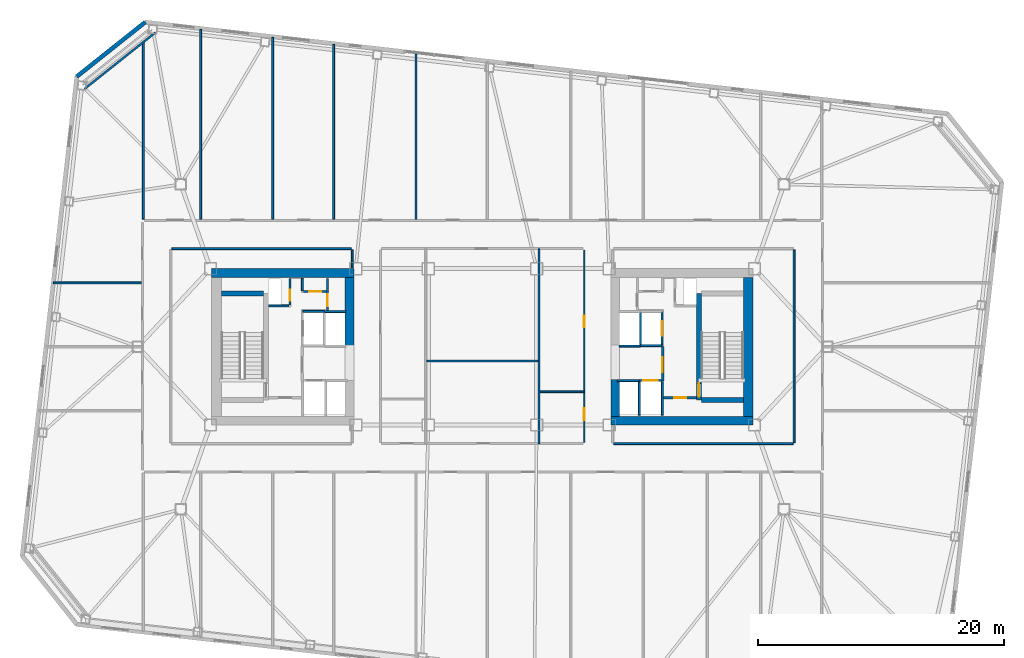
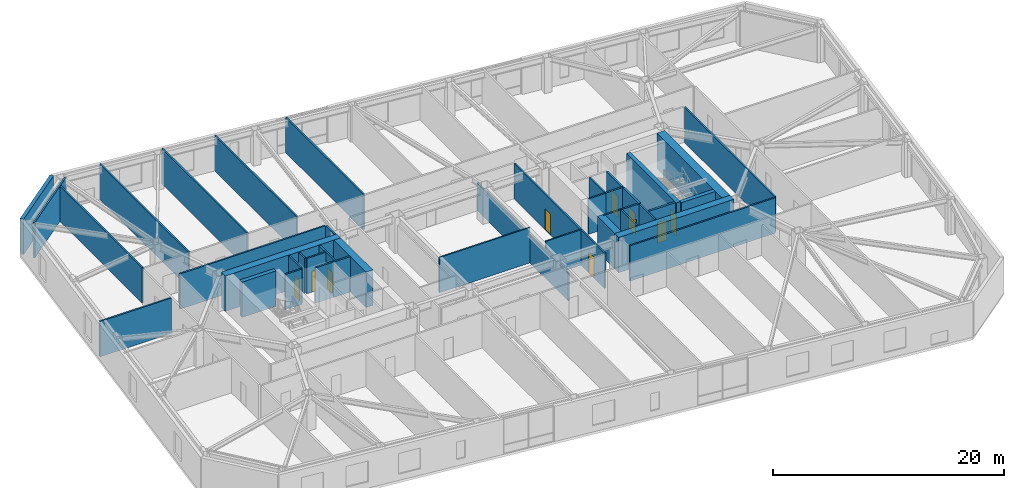
# One storey, part 13 of 21: 41 walls, 10 doors, 10 openings.
"""IFC4 building model written with IfcOpenShell, lengths in metres."""

import ifcopenshell
import ifcopenshell.guid

model = None  # the IFC model being written
_history = None  # IfcOwnerHistory: only IFC2X3 demands one
_inside = {}  # id of a spatial element -> (the spatial element, [elements in it])
_under = {}  # id of a project, library or spatial element -> (it, [spatial elements below it])
_declared = {}  # id of a project -> (the project, [libraries it declares])
_typed = {}  # id of a type object -> (the type object, [elements of that type])
_made_of = {}  # id of a material, layer set ... -> (it, [elements and type objects made of it])


def new_model(schema):
    """Start an empty IFC model of exactly this schema.

    Asked for "IFC4X3", IfcOpenShell would pick the latest addendum, in which some entities
    have other attributes; the version numbers below select the first issue.
    IFC2X3 requires an IfcOwnerHistory on every rooted entity: one is made here for all.
    """
    global model, _history
    if schema == "IFC4X3":
        model = ifcopenshell.file(schema_version=(4, 3, 0, 0))
    else:
        model = ifcopenshell.file(schema=schema)
    _inside.clear()
    _under.clear()
    _declared.clear()
    _typed.clear()
    _made_of.clear()
    _history = None
    if model.schema == "IFC2X3":
        org = make("IfcOrganization", Name="unknown")
        user = make(
            "IfcPersonAndOrganization",
            ThePerson=make("IfcPerson", FamilyName="unknown"),
            TheOrganization=org,
        )
        app = make(
            "IfcApplication",
            ApplicationDeveloper=org,
            Version="unknown",
            ApplicationFullName="unknown",
            ApplicationIdentifier="unknown",
        )
        _history = make(
            "IfcOwnerHistory",
            OwningUser=user,
            OwningApplication=app,
            ChangeAction="ADDED",
            CreationDate=0,
        )
    return model


def make(cls, **values):
    """One entity of the class cls with the attributes given. An attribute that is None is left unset."""
    return model.create_entity(
        cls, **{name: value for name, value in values.items() if value is not None}
    )


def rooted(cls, **values):
    """An entity with a GlobalId (a new one), such as an element, a storey or a relation."""
    return make(cls, GlobalId=ifcopenshell.guid.new(), OwnerHistory=_history, **values)


def si_unit(unit_type, name, prefix=None):
    """IfcSIUnit, for example si_unit("LENGTHUNIT", "METRE", prefix="MILLI")."""
    return make("IfcSIUnit", UnitType=unit_type, Prefix=prefix, Name=name)


def assignment(units):
    """IfcUnitAssignment: the units of a project."""
    return None if units is None else make("IfcUnitAssignment", Units=units)


def point(xyz):
    """IfcCartesianPoint."""
    return None if xyz is None else make("IfcCartesianPoint", Coordinates=xyz)


def direction(xyz):
    """IfcDirection."""
    return None if xyz is None else make("IfcDirection", DirectionRatios=xyz)


def frame(location, z_axis=None, x_axis=None):
    """IfcAxis2Placement3D, a coordinate frame: its origin and axes. An axis left out is left unset."""
    return make(
        "IfcAxis2Placement3D",
        Location=point(location),
        Axis=direction(z_axis),
        RefDirection=direction(x_axis),
    )


def frame_2d(location, x_axis=None):
    """IfcAxis2Placement2D, a coordinate frame in the plane: its origin and x axis."""
    return make(
        "IfcAxis2Placement2D", Location=point(location), RefDirection=direction(x_axis)
    )


def origin():
    """The frame at (0, 0, 0) with its axes left unset."""
    return frame((0.0, 0.0, 0.0))


def place(relative_to, where):
    """IfcLocalPlacement: puts the frame where relative to a parent placement (None: the world)."""
    return make(
        "IfcLocalPlacement", PlacementRelTo=relative_to, RelativePlacement=where
    )


def context(
    kind, dimensions, precision=None, world=None, true_north=None, identifier=None
):
    """IfcGeometricRepresentationContext, for example the 3D "Model" context."""
    return make(
        "IfcGeometricRepresentationContext",
        ContextIdentifier=identifier,
        ContextType=kind,
        CoordinateSpaceDimension=dimensions,
        Precision=precision,
        WorldCoordinateSystem=world,
        TrueNorth=true_north,
    )


def subcontext(parent, identifier, kind, view, scale=None):
    """IfcGeometricRepresentationSubContext, for example "Body" below "Model"."""
    return make(
        "IfcGeometricRepresentationSubContext",
        ContextIdentifier=identifier,
        ContextType=kind,
        ParentContext=parent,
        TargetScale=scale,
        TargetView=view,
    )


def project(units=None, contexts=None):
    """IfcProject with its units and contexts."""
    return rooted(
        "IfcProject",
        Name="project",
        RepresentationContexts=contexts,
        UnitsInContext=assignment(units),
    )


def spatial(cls, under=None, at=None, **own):
    """A site, building, storey or space (cls), placed at a placement, below another one or the project."""
    s = rooted(cls, ObjectPlacement=at, **own)
    if under is not None:
        _under.setdefault(under.id(), (under, []))[1].append(s)
    return s


def profile(cls, at=None, kind="AREA", **sizes):
    """A parametric profile (cls). Its sizes go by their IFC names, for example OverallWidth=200.0."""
    return make(cls, ProfileType=kind, Position=at, **sizes)


def rectangle(**sizes):
    """IfcRectangleProfileDef."""
    return profile("IfcRectangleProfileDef", **sizes)


def extrude(swept, where, along, depth):
    """IfcExtrudedAreaSolid: the profile swept, set in the frame where, extruded along a direction by depth."""
    return make(
        "IfcExtrudedAreaSolid",
        SweptArea=swept,
        Position=where,
        ExtrudedDirection=direction(along),
        Depth=depth,
    )


def shape(context_of_items, identifier, shape_type, items):
    """IfcShapeRepresentation: the items that make up one representation, for example the "Body"."""
    return make(
        "IfcShapeRepresentation",
        ContextOfItems=context_of_items,
        RepresentationIdentifier=identifier,
        RepresentationType=shape_type,
        Items=items,
    )


def material(Name=None, Category=None):
    """IfcMaterial."""
    return make("IfcMaterial", Name=Name, Category=Category)


def layer(
    of_material, thickness, ventilated=None, Name=None, Category=None, Priority=None
):
    """IfcMaterialLayer: one layer of a wall or slab, of a material (None: an air gap)."""
    return make(
        "IfcMaterialLayer",
        Material=of_material,
        LayerThickness=thickness,
        IsVentilated=ventilated,
        Name=Name,
        Category=Category,
        Priority=Priority,
    )


def layer_set(layers, Name=None):
    """IfcMaterialLayerSet."""
    return make("IfcMaterialLayerSet", MaterialLayers=layers, LayerSetName=Name)


def made_of(thing, what):
    """Note that an element or type object is made of a material, layer set ...; save() writes the relation."""
    if what is not None:
        _made_of.setdefault(what.id(), (what, []))[1].append(thing)
    return thing


def type_object(cls, material=None, **own):
    """A type object (cls), such as IfcWallType, which elements share."""
    return made_of(rooted(cls, **own), material)


def element(
    cls,
    number,
    at=None,
    inside=None,
    cuts=None,
    type_object=None,
    material=None,
    context=None,
    identifier="Body",
    shape_type=None,
    held_by="IfcProductDefinitionShape",
    body=None,
    shapes=None,
    **own,
):
    """One element of the class cls, such as IfcWall. Its Tag is "e" and its number.

    at: its placement. inside: the storey or other place that contains it. cuts: it is an
    opening in that element (IfcRelVoidsElement). A single representation is given by context,
    identifier, shape_type and body (its items); several are given by shapes. held_by: the class
    of the entity that holds the representations. save() writes the other relations.
    """
    e = rooted(cls, Tag="e%d" % number, ObjectPlacement=at, **own)
    if body is not None:
        shapes = [shape(context, identifier, shape_type, body)]
    if shapes is not None:
        e.Representation = make(held_by, Representations=shapes)
    if inside is not None:
        _inside.setdefault(inside.id(), (inside, []))[1].append(e)
    if cuts is not None:
        rooted(
            "IfcRelVoidsElement", RelatingBuildingElement=cuts, RelatedOpeningElement=e
        )
    if type_object is not None:
        _typed.setdefault(type_object.id(), (type_object, []))[1].append(e)
    return made_of(e, material)


def fill(opening, filler):
    """IfcRelFillsElement: the door or window that sits in an opening."""
    return rooted(
        "IfcRelFillsElement",
        RelatingOpeningElement=opening,
        RelatedBuildingElement=filler,
    )


def aggregate(whole, parts):
    """IfcRelAggregates: a whole, such as a stair, and the parts it consists of."""
    return rooted("IfcRelAggregates", RelatingObject=whole, RelatedObjects=parts)


def save(model, path):
    """Write the relations noted so far, then the file.

    IfcRelAggregates (storeys below a building ...), IfcRelContainedInSpatialStructure (elements
    in a storey), IfcRelDefinesByType, IfcRelAssociatesMaterial and IfcRelDeclares: one each for
    every whole, place, type object, material and project.
    """
    for whole, parts in _under.values():
        aggregate(whole, parts)
    for where, things in _inside.values():
        rooted(
            "IfcRelContainedInSpatialStructure",
            RelatedElements=things,
            RelatingStructure=where,
        )
    for kind, things in _typed.values():
        rooted("IfcRelDefinesByType", RelatedObjects=things, RelatingType=kind)
    for what, things in _made_of.values():
        rooted("IfcRelAssociatesMaterial", RelatedObjects=things, RelatingMaterial=what)
    for by, libraries in _declared.values():
        rooted("IfcRelDeclares", RelatingContext=by, RelatedDefinitions=libraries)
    model.write(path)


model = new_model("IFC4")

# Units and contexts
model_context = context("Model", 3, precision=1e-05, world=origin(), true_north=direction((0.0, 1.0)))
body_context = subcontext(model_context, "Body", "Model", "MODEL_VIEW")
ifc_project = project(units=[si_unit("LENGTHUNIT", "METRE"), si_unit("AREAUNIT", "SQUARE_METRE"), si_unit("VOLUMEUNIT", "CUBIC_METRE"), si_unit("PLANEANGLEUNIT", "RADIAN"), si_unit("MASSUNIT", "GRAM", prefix="KILO")], contexts=[model_context])

# Site, building, storey
site_placement = place(None, origin())
site = spatial("IfcSite", under=ifc_project, at=site_placement, CompositionType="ELEMENT")
building_placement = place(site_placement, origin())
building = spatial("IfcBuilding", under=site, at=building_placement, Name="Tavrogorsk Clinical Tower", CompositionType="ELEMENT")
storey_placement = place(building_placement, frame((0.0, 0.0, 137.39990234375)))
storey = spatial("IfcBuildingStorey", under=building, at=storey_placement, Name="L31", CompositionType="ELEMENT", Elevation=137.39990234375)

# Wall, opening, door
ifc_material_1 = material(Name="Concrete B60", Category="concrete")
ifc_layer_1 = layer(ifc_material_1, 0.199951171875)
ifc_layer_set_1 = layer_set([ifc_layer_1], Name="Concrete B60")
wall_type_1 = type_object("IfcWallType", Name="CoreFireWall_200", PredefinedType="SOLIDWALL", material=ifc_layer_set_1)
wall_1_placement = place(storey_placement, frame((14.719970703125, -4.139892578125, 0.0), z_axis=(0.0, 0.0, 1.0), x_axis=(1.0, 0.0, 0.0)))
wall_1 = element("IfcWall", 1, at=wall_1_placement, inside=storey, type_object=wall_type_1, Name="L31 Core East South Core Room Fire Wall", PredefinedType="SOLIDWALL", context=body_context, shape_type="SweptSolid", body=[
    extrude(rectangle(XDim=2.659912109375, YDim=0.199951171875, at=frame_2d((1.330078125, 0.0))), origin(), (0.0, 0.0, 1.0), 3.739990234375),
])
opening_1_placement = place(wall_1_placement, frame((0.8798828125, 0.0, 0.0)))
opening_1 = element("IfcOpeningElement", 2, at=opening_1_placement, cuts=wall_1, Name="Opening ID-02", PredefinedType="OPENING", context=body_context, shape_type="SweptSolid", body=[
    extrude(rectangle(XDim=0.949951171875, YDim=2.199951171875, at=frame_2d((0.47509765625, 1.10009765625))), frame((0.0, 0.10986328125, 0.0), z_axis=(0.0, -1.0, 0.0), x_axis=(1.0, 0.0, 0.0)), (0.0, 0.0, 1.0), 0.219970703125),
])
ifc_material_2 = material(Name="Laminated timber leaf on aluminium frame", Category="wood")
door_type_1 = type_object("IfcDoorType", Name="InteriorDoor_ID02_950", OperationType="NOTDEFINED", PredefinedType="DOOR", material=ifc_material_2)
door_1_placement = place(opening_1_placement, origin())
door_1 = element("IfcDoor", 3, at=door_1_placement, inside=storey, type_object=door_type_1, Name="L31 Core East South Core Room Door", OperationType="SINGLE_SWING_LEFT", OverallHeight=2.199951171875, OverallWidth=0.949951171875, PredefinedType="DOOR", context=body_context, shape_type="SweptSolid", body=[
    extrude(rectangle(XDim=0.949951171875, YDim=2.199951171875, at=frame_2d((0.47509765625, 1.10009765625))), frame((0.0, 0.02490234375, 0.0), z_axis=(0.0, -1.0, 0.0), x_axis=(1.0, 0.0, 0.0)), (0.0, 0.0, 1.0), 0.050048828125),
])
fill(opening_1, door_1)

wall_2_placement = place(storey_placement, frame((14.639892578125, -2.780029296875, 0.0), z_axis=(0.0, 0.0, 1.0), x_axis=(0.0, 1.0, 0.0)))
wall_2 = element("IfcWall", 4, at=wall_2_placement, inside=storey, type_object=wall_type_1, Name="L31 Core East Firefighting Lobby Fire Wall", PredefinedType="SOLIDWALL", context=body_context, shape_type="SweptSolid", body=[
    extrude(rectangle(XDim=2.820068359375, YDim=0.199951171875, at=frame_2d((1.41015625, 0.0))), origin(), (0.0, 0.0, 1.0), 3.739990234375),
])
opening_2_placement = place(wall_2_placement, frame((0.72998046875, 0.0, 0.0)))
opening_2 = element("IfcOpeningElement", 5, at=opening_2_placement, cuts=wall_2, Name="Opening FD-01", PredefinedType="OPENING", context=body_context, shape_type="SweptSolid", body=[
    extrude(rectangle(XDim=1.199951171875, YDim=2.199951171875, at=frame_2d((0.60009765625, 1.10009765625))), frame((0.0, 0.10986328125, 0.0), z_axis=(0.0, -1.0, 0.0), x_axis=(1.0, 0.0, 0.0)), (0.0, 0.0, 1.0), 0.219970703125),
])
ifc_material_3 = material(Name="Galvanised steel fire-rated door assembly", Category="steel")
door_type_2 = type_object("IfcDoorType", Name="FireDoor_FD01_1200", OperationType="NOTDEFINED", PredefinedType="DOOR", material=ifc_material_3)
door_2_placement = place(opening_2_placement, origin())
door_2 = element("IfcDoor", 6, at=door_2_placement, inside=storey, type_object=door_type_2, Name="L31 Core East Firefighting Lobby Entry Door", OperationType="SINGLE_SWING_RIGHT", OverallHeight=2.199951171875, OverallWidth=1.199951171875, PredefinedType="DOOR", context=body_context, shape_type="SweptSolid", body=[
    extrude(rectangle(XDim=1.199951171875, YDim=2.199951171875, at=frame_2d((0.60009765625, 1.10009765625))), frame((0.0, 0.02490234375, 0.0), z_axis=(0.0, -1.0, 0.0), x_axis=(1.0, 0.0, 0.0)), (0.0, 0.0, 1.0), 0.050048828125),
])
fill(opening_2, door_2)

# Walls
ifc_material_4 = material(Name="Lightweight concrete blockwork B15", Category="masonry")
ifc_layer_2 = layer(ifc_material_4, 0.139892578125)
ifc_layer_set_2 = layer_set([ifc_layer_2], Name="Lightweight concrete blockwork B15")
wall_type_2 = type_object("IfcWallType", Name="PartitionWall_140", PredefinedType="PARTITIONING", material=ifc_layer_set_2)
wall_3_placement = place(storey_placement, frame((4.60009765625, -7.864990234375, 0.0), z_axis=(0.0, 0.0, 1.0), x_axis=(0.0, 1.0, 0.0)))
element("IfcWall", 7, at=wall_3_placement, inside=storey, type_object=wall_type_2, Name="L31 Central Spine Partition 2", PredefinedType="PARTITIONING", context=body_context, shape_type="SweptSolid", body=[
    extrude(rectangle(XDim=15.830078125, YDim=0.139892578125, at=frame_2d((7.9150390625, 0.0))), origin(), (0.0, 0.0, 1.0), 2.93505859375),
])
wall_4_placement = place(storey_placement, frame((-4.52490234375, -1.14990234375, 0.0), z_axis=(0.0, 0.0, 1.0), x_axis=(1.0, 0.0, 0.0)))
element("IfcWall", 8, at=wall_4_placement, inside=storey, type_object=wall_type_2, Name="L31 Central Spine Partition 3", PredefinedType="PARTITIONING", context=body_context, shape_type="SweptSolid", body=[
    extrude(rectangle(XDim=9.0498046875, YDim=0.139892578125, at=frame_2d((4.52490234375, 0.0))), origin(), (0.0, 0.0, 1.0), 3.739990234375),
])
wall_5_placement = place(storey_placement, frame((4.675048828125, -3.64990234375, 0.0), z_axis=(0.0, 0.0, 1.0), x_axis=(1.0, 0.0, 0.0)))
element("IfcWall", 9, at=wall_5_placement, inside=storey, type_object=wall_type_2, Name="L31 Central Spine Partition 5", PredefinedType="PARTITIONING", context=body_context, shape_type="SweptSolid", body=[
    extrude(rectangle(XDim=3.58984375, YDim=0.139892578125, at=frame_2d((1.794921875, 0.0))), origin(), (0.0, 0.0, 1.0), 3.739990234375),
])

# Wall, opening, door
ifc_material_5 = material(Name="Lightweight concrete blockwork B15", Category="masonry")
ifc_layer_3 = layer(ifc_material_5, 0.159912109375)
ifc_layer_set_3 = layer_set([ifc_layer_3], Name="Lightweight concrete blockwork B15")
wall_type_3 = type_object("IfcWallType", Name="PartitionWall_160", PredefinedType="PARTITIONING", material=ifc_layer_set_3)
wall_6_placement = place(storey_placement, frame((-12.580078125, 2.9599609375, 0.0), z_axis=(0.0, 0.0, 1.0), x_axis=(0.0, 1.0, 0.0)))
wall_6 = element("IfcWall", 10, at=wall_6_placement, inside=storey, type_object=wall_type_3, Name="L31 Core West Linen Closet Wall", PredefinedType="PARTITIONING", context=body_context, shape_type="SweptSolid", body=[
    extrude(rectangle(XDim=2.60009765625, YDim=0.159912109375, at=frame_2d((1.300048828125, 0.0))), origin(), (0.0, 0.0, 1.0), 3.739990234375),
])
opening_3_placement = place(wall_6_placement, frame((0.35009765625, 0.0, 0.0)))
opening_3 = element("IfcOpeningElement", 11, at=opening_3_placement, cuts=wall_6, Name="Opening ID-02", PredefinedType="OPENING", context=body_context, shape_type="SweptSolid", body=[
    extrude(rectangle(XDim=0.949951171875, YDim=2.199951171875, at=frame_2d((0.47509765625, 1.10009765625))), frame((0.0, 0.08984375, 0.0), z_axis=(0.0, -1.0, 0.0), x_axis=(1.0, 0.0, 0.0)), (0.0, 0.0, 1.0), 0.179931640625),
])
door_3_placement = place(opening_3_placement, origin())
door_3 = element("IfcDoor", 12, at=door_3_placement, inside=storey, type_object=door_type_1, Name="L31 Core West Linen Closet Door", OperationType="SINGLE_SWING_LEFT", OverallHeight=2.199951171875, OverallWidth=0.949951171875, PredefinedType="DOOR", context=body_context, shape_type="SweptSolid", body=[
    extrude(rectangle(XDim=0.949951171875, YDim=2.199951171875, at=frame_2d((0.47509765625, 1.10009765625))), frame((0.0, 0.02490234375, 0.0), z_axis=(0.0, -1.0, 0.0), x_axis=(1.0, 0.0, 0.0)), (0.0, 0.0, 1.0), 0.050048828125),
])
fill(opening_3, door_3)

wall_7_placement = place(storey_placement, frame((-14.554931640625, 4.47998046875, 0.0), z_axis=(0.0, 0.0, 1.0), x_axis=(1.0, 0.0, 0.0)))
wall_7 = element("IfcWall", 13, at=wall_7_placement, inside=storey, type_object=wall_type_3, Name="L31 Core West Housekeeping South Wall", PredefinedType="PARTITIONING", context=body_context, shape_type="SweptSolid", body=[
    extrude(rectangle(XDim=1.889892578125, YDim=0.159912109375, at=frame_2d((0.94482421875, 0.0))), origin(), (0.0, 0.0, 1.0), 3.739990234375),
])
opening_4_placement = place(wall_7_placement, frame((0.5, 0.0, 0.0)))
opening_4 = element("IfcOpeningElement", 14, at=opening_4_placement, cuts=wall_7, Name="Opening ID-02", PredefinedType="OPENING", context=body_context, shape_type="SweptSolid", body=[
    extrude(rectangle(XDim=0.949951171875, YDim=2.199951171875, at=frame_2d((0.47509765625, 1.10009765625))), frame((0.0, 0.08984375, 0.0), z_axis=(0.0, -1.0, 0.0), x_axis=(1.0, 0.0, 0.0)), (0.0, 0.0, 1.0), 0.179931640625),
])
door_4_placement = place(opening_4_placement, origin())
door_4 = element("IfcDoor", 15, at=door_4_placement, inside=storey, type_object=door_type_1, Name="L31 Core West Housekeeping Closet Door", OperationType="SINGLE_SWING_RIGHT", OverallHeight=2.199951171875, OverallWidth=0.949951171875, PredefinedType="DOOR", context=body_context, shape_type="SweptSolid", body=[
    extrude(rectangle(XDim=0.949951171875, YDim=2.199951171875, at=frame_2d((0.47509765625, 1.10009765625))), frame((0.0, 0.02490234375, 0.0), z_axis=(0.0, -1.0, 0.0), x_axis=(1.0, 0.0, 0.0)), (0.0, 0.0, 1.0), 0.050048828125),
])
fill(opening_4, door_4)

# Walls
wall_8_placement = place(storey_placement, frame((-14.639892578125, 4.56494140625, 0.0), z_axis=(0.0, 0.0, 1.0), x_axis=(0.0, 1.0, 0.0)))
element("IfcWall", 16, at=wall_8_placement, inside=storey, type_object=wall_type_3, Name="L31 Core West Housekeeping East Wall", PredefinedType="PARTITIONING", context=body_context, shape_type="SweptSolid", body=[
    extrude(rectangle(XDim=0.9951171875, YDim=0.159912109375, at=frame_2d((0.49755859375, 0.0))), origin(), (0.0, 0.0, 1.0), 3.739990234375),
])
wall_9_placement = place(storey_placement, frame((-26.5712890625, 25.534912109375, 0.0), z_axis=(0.0, 0.0, 1.0), x_axis=(-0.782617962887, -0.622502308564, 0.0)))
element("IfcWall", 17, at=wall_9_placement, inside=storey, type_object=wall_type_3, Name="L31 Corner Exoskeleton Brace Furring Wall 3", PredefinedType="PARTITIONING", context=body_context, shape_type="SweptSolid", body=[
    extrude(rectangle(XDim=7.35400390625, YDim=0.159912109375, at=frame_2d((3.677001953125, 0.0))), origin(), (0.0, 0.0, 1.0), 3.739990234375),
])
wall_10_placement = place(storey_placement, frame((10.6650390625, -7.8701171875, 0.0), z_axis=(0.0, 0.0, 1.0), x_axis=(1.0, 0.0, 0.0)))
element("IfcWall", 18, at=wall_10_placement, inside=storey, type_object=wall_type_3, Name="L31 Corridor Partition 08", PredefinedType="PARTITIONING", context=body_context, shape_type="SweptSolid", body=[
    extrude(rectangle(XDim=14.570068359375, YDim=0.159912109375, at=frame_2d((7.28515625, 0.0))), origin(), (0.0, 0.0, 1.0), 3.739990234375),
])
wall_11_placement = place(storey_placement, frame((25.320068359375, -7.784912109375, 0.0), z_axis=(0.0, 0.0, 1.0), x_axis=(0.0, 1.0, 0.0)))
element("IfcWall", 19, at=wall_11_placement, inside=storey, type_object=wall_type_3, Name="L31 Corridor Partition 09", PredefinedType="PARTITIONING", context=body_context, shape_type="SweptSolid", body=[
    extrude(rectangle(XDim=15.669921875, YDim=0.159912109375, at=frame_2d((7.8349609375, 0.0))), origin(), (0.0, 0.0, 1.0), 3.739990234375),
])

# Wall, openings, doors
wall_12_placement = place(storey_placement, frame((8.27001953125, -7.784912109375, 0.0), z_axis=(0.0, 0.0, 1.0), x_axis=(0.0, 1.0, 0.0)))
wall_12 = element("IfcWall", 20, at=wall_12_placement, inside=storey, type_object=wall_type_3, Name="L31 Corridor Partition 10", PredefinedType="PARTITIONING", context=body_context, shape_type="SweptSolid", body=[
    extrude(rectangle(XDim=15.669921875, YDim=0.159912109375, at=frame_2d((7.8349609375, 0.0))), origin(), (0.0, 0.0, 1.0), 3.739990234375),
])
opening_5_placement = place(wall_12_placement, frame((1.8291015625, 0.0, 0.0)))
opening_5 = element("IfcOpeningElement", 21, at=opening_5_placement, cuts=wall_12, Name="Opening ID-02", PredefinedType="OPENING", context=body_context, shape_type="SweptSolid", body=[
    extrude(rectangle(XDim=0.949951171875, YDim=2.199951171875, at=frame_2d((0.47509765625, 1.10009765625))), frame((0.0, 0.08984375, 0.0), z_axis=(0.0, -1.0, 0.0), x_axis=(1.0, 0.0, 0.0)), (0.0, 0.0, 1.0), 0.179931640625),
])
opening_6_placement = place(wall_12_placement, frame((9.36083984375, 0.0, 0.0)))
opening_6 = element("IfcOpeningElement", 22, at=opening_6_placement, cuts=wall_12, Name="Opening ID-02", PredefinedType="OPENING", context=body_context, shape_type="SweptSolid", body=[
    extrude(rectangle(XDim=0.949951171875, YDim=2.199951171875, at=frame_2d((0.47509765625, 1.10009765625))), frame((0.0, 0.08984375, 0.0), z_axis=(0.0, -1.0, 0.0), x_axis=(1.0, 0.0, 0.0)), (0.0, 0.0, 1.0), 0.179931640625),
])
door_5_placement = place(opening_5_placement, origin())
door_5 = element("IfcDoor", 23, at=door_5_placement, inside=storey, type_object=door_type_1, Name="L31 Staff & Visitor Accessible WC Door", OperationType="SINGLE_SWING_RIGHT", OverallHeight=2.199951171875, OverallWidth=0.949951171875, PredefinedType="DOOR", context=body_context, shape_type="SweptSolid", body=[
    extrude(rectangle(XDim=0.949951171875, YDim=2.199951171875, at=frame_2d((0.47509765625, 1.10009765625))), frame((0.0, 0.02490234375, 0.0), z_axis=(0.0, -1.0, 0.0), x_axis=(1.0, 0.0, 0.0)), (0.0, 0.0, 1.0), 0.050048828125),
])
fill(opening_5, door_5)
door_6_placement = place(opening_6_placement, origin())
door_6 = element("IfcDoor", 24, at=door_6_placement, inside=storey, type_object=door_type_1, Name="L31 Attending Physician Office Door", OperationType="SINGLE_SWING_LEFT", OverallHeight=2.199951171875, OverallWidth=0.949951171875, PredefinedType="DOOR", context=body_context, shape_type="SweptSolid", body=[
    extrude(rectangle(XDim=0.949951171875, YDim=2.199951171875, at=frame_2d((0.47509765625, 1.10009765625))), frame((0.0, 0.02490234375, 0.0), z_axis=(0.0, -1.0, 0.0), x_axis=(1.0, 0.0, 0.0)), (0.0, 0.0, 1.0), 0.050048828125),
])
fill(opening_6, door_6)

# Walls
wall_13_placement = place(storey_placement, frame((-10.580078125, 6.419921875, 0.0), z_axis=(0.0, 0.0, 1.0), x_axis=(0.0, 1.0, 0.0)))
element("IfcWall", 25, at=wall_13_placement, inside=storey, type_object=wall_type_3, Name="L31 Corridor Partition 15", PredefinedType="PARTITIONING", context=body_context, shape_type="SweptSolid", body=[
    extrude(rectangle(XDim=1.465087890625, YDim=0.159912109375, at=frame_2d((0.732421875, 0.0))), origin(), (0.0, 0.0, 1.0), 3.739990234375),
])
wall_14_placement = place(storey_placement, frame((-10.6650390625, 7.969970703125, 0.0), z_axis=(0.0, 0.0, 1.0), x_axis=(-1.0, 0.0, 0.0)))
element("IfcWall", 26, at=wall_14_placement, inside=storey, type_object=wall_type_3, Name="L31 Corridor Partition 16", PredefinedType="PARTITIONING", context=body_context, shape_type="SweptSolid", body=[
    extrude(rectangle(XDim=14.570068359375, YDim=0.159912109375, at=frame_2d((7.28515625, 0.0))), origin(), (0.0, 0.0, 1.0), 3.739990234375),
])
wall_15_placement = place(storey_placement, frame((-27.550048828125, 10.364990234375, 0.0), z_axis=(0.0, 0.0, 1.0), x_axis=(0.0, 1.0, 0.0)))
element("IfcWall", 27, at=wall_15_placement, inside=storey, type_object=wall_type_3, Name="L31 NW Wing Closure Partition", PredefinedType="PARTITIONING", context=body_context, shape_type="SweptSolid", body=[
    extrude(rectangle(XDim=14.40869140625, YDim=0.159912109375, at=frame_2d((7.204345703125, 0.0))), origin(), (0.0, 0.0, 1.0), 3.739990234375),
])
wall_16_placement = place(storey_placement, frame((-22.89990234375, 10.364990234375, 0.0), z_axis=(0.0, 0.0, 1.0), x_axis=(0.0, 1.0, 0.0)))
element("IfcWall", 28, at=wall_16_placement, inside=storey, type_object=wall_type_3, Name="L31 North Room Partition 1", PredefinedType="PARTITIONING", context=body_context, shape_type="SweptSolid", body=[
    extrude(rectangle(XDim=15.4365234375, YDim=0.159912109375, at=frame_2d((7.71826171875, 0.0))), origin(), (0.0, 0.0, 1.0), 3.739990234375),
])
wall_17_placement = place(storey_placement, frame((-12.10009765625, 10.364990234375, 0.0), z_axis=(0.0, 0.0, 1.0), x_axis=(0.0, 1.0, 0.0)))
element("IfcWall", 29, at=wall_17_placement, inside=storey, type_object=wall_type_3, Name="L31 North Room Partition 2", PredefinedType="PARTITIONING", context=body_context, shape_type="SweptSolid", body=[
    extrude(rectangle(XDim=14.2060546875, YDim=0.159912109375, at=frame_2d((7.10302734375, 0.0))), origin(), (0.0, 0.0, 1.0), 3.739990234375),
])
wall_18_placement = place(storey_placement, frame((-17.050048828125, 10.364990234375, 0.0), z_axis=(0.0, 0.0, 1.0), x_axis=(0.0, 1.0, 0.0)))
element("IfcWall", 30, at=wall_18_placement, inside=storey, type_object=wall_type_3, Name="L31 North Sub-Partition 2", PredefinedType="PARTITIONING", context=body_context, shape_type="SweptSolid", body=[
    extrude(rectangle(XDim=14.77001953125, YDim=0.159912109375, at=frame_2d((7.385009765625, 0.0))), origin(), (0.0, 0.0, 1.0), 3.739990234375),
])
wall_19_placement = place(storey_placement, frame((-5.39990234375, 10.364990234375, 0.0), z_axis=(0.0, 0.0, 1.0), x_axis=(0.0, 1.0, 0.0)))
element("IfcWall", 31, at=wall_19_placement, inside=storey, type_object=wall_type_3, Name="L31 North Sub-Partition 3", PredefinedType="PARTITIONING", context=body_context, shape_type="SweptSolid", body=[
    extrude(rectangle(XDim=13.442626953125, YDim=0.159912109375, at=frame_2d((6.72119140625, 0.0))), origin(), (0.0, 0.0, 1.0), 3.739990234375),
])
wall_20_placement = place(storey_placement, frame((-34.857177734375, 5.199951171875, 0.0), z_axis=(0.0, 0.0, 1.0), x_axis=(1.0, 0.0, 0.0)))
element("IfcWall", 32, at=wall_20_placement, inside=storey, type_object=wall_type_3, Name="L31 W Wing Divider 3", PredefinedType="PARTITIONING", context=body_context, shape_type="SweptSolid", body=[
    extrude(rectangle(XDim=7.14208984375, YDim=0.159912109375, at=frame_2d((3.571044921875, 0.0))), origin(), (0.0, 0.0, 1.0), 3.739990234375),
])
ifc_material_6 = material(Name="Precast concrete B45 with limestone cladding", Category="masonry")
ifc_layer_4 = layer(ifc_material_6, 0.340087890625)
ifc_layer_set_4 = layer_set([ifc_layer_4], Name="Precast concrete B45 with limestone cladding")
wall_type_4 = type_object("IfcWallType", Name="PrecastLimestoneWall_340", PredefinedType="STANDARD", material=ifc_layer_set_4)
wall_21_placement = place(storey_placement, frame((-27.40087890625, 26.384765625, 0.0), z_axis=(0.0, 0.0, 1.0), x_axis=(-0.78261359446, -0.622507800567, 0.0)))
element("IfcWall", 33, at=wall_21_placement, inside=storey, type_object=wall_type_4, Name="L31 Chamfered Corner Wall 3", PredefinedType="STANDARD", context=body_context, shape_type="SweptSolid", body=[
    extrude(rectangle(XDim=7.113525390625, YDim=0.340087890625, at=frame_2d((3.556640625, 0.0))), origin(), (0.0, 0.0, 1.0), 3.739990234375),
])
ifc_material_7 = material(Name="Lightweight concrete blockwork B25", Category="masonry")
ifc_layer_5 = layer(ifc_material_7, 0.159912109375)
ifc_layer_set_5 = layer_set([ifc_layer_5], Name="Lightweight concrete blockwork B25")
wall_type_5 = type_object("IfcWallType", Name="ShaftWall_160", PredefinedType="PARTITIONING", material=ifc_layer_set_5)
wall_22_placement = place(storey_placement, frame((-14.60009765625, 2.8798828125, 0.0), z_axis=(0.0, 0.0, 1.0), x_axis=(1.0, 0.0, 0.0)))
element("IfcWall", 34, at=wall_22_placement, inside=storey, type_object=wall_type_5, Name="L31 FFL-W Shaft North Wall", PredefinedType="PARTITIONING", context=body_context, shape_type="SweptSolid", body=[
    extrude(rectangle(XDim=1.760009765625, YDim=0.159912109375, at=frame_2d((0.8798828125, 0.0))), origin(), (0.0, 0.0, 1.0), 3.739990234375),
])
wall_23_placement = place(storey_placement, frame((-12.820068359375, 2.860107421875, 0.0), z_axis=(0.0, 0.0, 1.0), x_axis=(1.0, 0.0, 0.0)))
element("IfcWall", 35, at=wall_23_placement, inside=storey, type_object=wall_type_5, Name="L31 LP-H1 High-Zone Lift Rear Wall", PredefinedType="PARTITIONING", context=body_context, shape_type="SweptSolid", body=[
    extrude(rectangle(XDim=1.719970703125, YDim=0.159912109375, at=frame_2d((0.85986328125, 0.0))), origin(), (0.0, 0.0, 1.0), 3.739990234375),
])

# Wall, opening, door
wall_24_placement = place(storey_placement, frame((14.60009765625, 0.1201171875, 0.0), z_axis=(0.0, 0.0, 1.0), x_axis=(0.0, 1.0, 0.0)))
wall_24 = element("IfcWall", 36, at=wall_24_placement, inside=storey, type_object=wall_type_5, Name="L31 FFL-E Firefighting Lift Front Wall", PredefinedType="PARTITIONING", context=body_context, shape_type="SweptSolid", body=[
    extrude(rectangle(XDim=2.739990234375, YDim=0.159912109375, at=frame_2d((1.3701171875, 0.0))), origin(), (0.0, 0.0, 1.0), 3.739990234375),
])
opening_7_placement = place(wall_24_placement, frame((0.77001953125, 0.0, 0.0)))
opening_7 = element("IfcOpeningElement", 37, at=opening_7_placement, cuts=wall_24, Name="Opening LD", PredefinedType="OPENING", context=body_context, shape_type="SweptSolid", body=[
    extrude(rectangle(XDim=1.199951171875, YDim=2.199951171875, at=frame_2d((0.60009765625, 1.10009765625))), frame((0.0, 0.08984375, 0.0), z_axis=(0.0, -1.0, 0.0), x_axis=(1.0, 0.0, 0.0)), (0.0, 0.0, 1.0), 0.179931640625),
])
ifc_material_8 = material(Name="Brushed stainless steel AISI 304 sliding doors", Category="steel")
door_type_3 = type_object("IfcDoorType", Name="LiftLandingDoor_LD_1200", OperationType="SLIDING_TO_LEFT", PredefinedType="DOOR", material=ifc_material_8)
door_7_placement = place(opening_7_placement, origin())
door_7 = element("IfcDoor", 38, at=door_7_placement, inside=storey, type_object=door_type_3, Name="L31 FFL-E Sliding Lift Landing Door", OperationType="SLIDING_TO_LEFT", OverallHeight=2.199951171875, OverallWidth=1.199951171875, PredefinedType="DOOR", context=body_context, shape_type="SweptSolid", body=[
    extrude(rectangle(XDim=1.199951171875, YDim=2.199951171875, at=frame_2d((0.60009765625, 1.10009765625))), frame((0.0, 0.02490234375, 0.0), z_axis=(0.0, -1.0, 0.0), x_axis=(1.0, 0.0, 0.0)), (0.0, 0.0, 1.0), 0.050048828125),
])
fill(opening_7, door_7)

# Walls
wall_25_placement = place(storey_placement, frame((12.840087890625, 0.10009765625, 0.0), z_axis=(0.0, 0.0, 1.0), x_axis=(1.0, 0.0, 0.0)))
element("IfcWall", 39, at=wall_25_placement, inside=storey, type_object=wall_type_5, Name="L31 FFL-E Shaft South Wall", PredefinedType="PARTITIONING", context=body_context, shape_type="SweptSolid", body=[
    extrude(rectangle(XDim=1.760009765625, YDim=0.159912109375, at=frame_2d((0.8798828125, 0.0))), origin(), (0.0, 0.0, 1.0), 3.739990234375),
])
wall_26_placement = place(storey_placement, frame((12.840087890625, 0.179931640625, 0.0), z_axis=(0.0, 0.0, 1.0), x_axis=(0.0, 1.0, 0.0)))
element("IfcWall", 40, at=wall_26_placement, inside=storey, type_object=wall_type_5, Name="L31 FFL-E Shaft Back Wall", PredefinedType="PARTITIONING", context=body_context, shape_type="SweptSolid", body=[
    extrude(rectangle(XDim=2.6201171875, YDim=0.159912109375, at=frame_2d((1.31005859375, 0.0))), origin(), (0.0, 0.0, 1.0), 3.739990234375),
])

# Wall, opening, door
wall_27_placement = place(storey_placement, frame((12.77001953125, -2.75, 0.0), z_axis=(0.0, 0.0, 1.0), x_axis=(1.0, 0.0, 0.0)))
wall_27 = element("IfcWall", 41, at=wall_27_placement, inside=storey, type_object=wall_type_5, Name="L31 LP-L2 Lift Shaft Portal Wall", PredefinedType="PARTITIONING", context=body_context, shape_type="SweptSolid", body=[
    extrude(rectangle(XDim=1.760009765625, YDim=0.159912109375, at=frame_2d((0.8798828125, 0.0))), origin(), (0.0, 0.0, 1.0), 3.739990234375),
])
opening_8_placement = place(wall_27_placement, frame((0.280029296875, 0.0, 0.0)))
opening_8 = element("IfcOpeningElement", 42, at=opening_8_placement, cuts=wall_27, Name="Opening LD", PredefinedType="OPENING", context=body_context, shape_type="SweptSolid", body=[
    extrude(rectangle(XDim=1.199951171875, YDim=2.199951171875, at=frame_2d((0.60009765625, 1.10009765625))), frame((0.0, 0.08984375, 0.0), z_axis=(0.0, -1.0, 0.0), x_axis=(1.0, 0.0, 0.0)), (0.0, 0.0, 1.0), 0.179931640625),
])
door_8_placement = place(opening_8_placement, origin())
door_8 = element("IfcDoor", 43, at=door_8_placement, inside=storey, type_object=door_type_3, Name="L31 LP-L2 Sliding Lift Landing Door", OperationType="SLIDING_TO_LEFT", OverallHeight=2.199951171875, OverallWidth=1.199951171875, PredefinedType="DOOR", context=body_context, shape_type="SweptSolid", body=[
    extrude(rectangle(XDim=1.199951171875, YDim=2.199951171875, at=frame_2d((0.60009765625, 1.10009765625))), frame((0.0, 0.02490234375, 0.0), z_axis=(0.0, -1.0, 0.0), x_axis=(1.0, 0.0, 0.0)), (0.0, 0.0, 1.0), 0.050048828125),
])
fill(opening_8, door_8)

# Walls
for number, where, z_axis, x_axis, name in (
    (44, (12.75, -5.5400390625, 0.0), (0.0, 0.0, 1.0), (0.0, 1.0, 0.0), "L31 LP-L2 Lift Hoistway Divider Wall"),
    (45, (14.610107421875, -5.5400390625, 0.0), (0.0, 0.0, 1.0), (0.0, 1.0, 0.0), "L31 LP-L2 Lift Hoistway Outer Cheek Wall"),
):
    element("IfcWall", number, at=place(storey_placement, frame(where, z_axis=z_axis, x_axis=x_axis)), inside=storey, type_object=wall_type_5, Name=name, PredefinedType="PARTITIONING", context=body_context, shape_type="SweptSolid", body=[
        extrude(rectangle(XDim=2.699951171875, YDim=0.159912109375, at=frame_2d((1.35009765625, 0.0))), origin(), (0.0, 0.0, 1.0), 3.739990234375),
    ])
wall_28_placement = place(storey_placement, frame((10.969970703125, -2.75, 0.0), z_axis=(0.0, 0.0, 1.0), x_axis=(1.0, 0.0, 0.0)))
element("IfcWall", 46, at=wall_28_placement, inside=storey, type_object=wall_type_5, Name="L31 LP-M2 Lift Shaft Portal Wall", PredefinedType="PARTITIONING", context=body_context, shape_type="SweptSolid", body=[
    extrude(rectangle(XDim=1.760009765625, YDim=0.159912109375, at=frame_2d((0.8798828125, 0.0))), origin(), (0.0, 0.0, 1.0), 3.739990234375),
])
wall_29_placement = place(storey_placement, frame((11.10009765625, 0.06005859375, 0.0), z_axis=(0.0, 0.0, 1.0), x_axis=(1.0, 0.0, 0.0)))
element("IfcWall", 47, at=wall_29_placement, inside=storey, type_object=wall_type_5, Name="L31 LP-H2 High-Zone Lift Portal Wall", PredefinedType="PARTITIONING", context=body_context, shape_type="SweptSolid", body=[
    extrude(rectangle(XDim=1.719970703125, YDim=0.159912109375, at=frame_2d((0.85986328125, 0.0))), origin(), (0.0, 0.0, 1.0), 3.739990234375),
])

# Wall, opening, door
wall_30_placement = place(storey_placement, frame((-15.639892578125, 3.405029296875, 0.0), z_axis=(0.0, 0.0, 1.0), x_axis=(0.0, 1.0, 0.0)))
wall_30 = element("IfcWall", 48, at=wall_30_placement, inside=storey, type_object=wall_type_5, Name="L31 Core West Riser West Wall", PredefinedType="PARTITIONING", context=body_context, shape_type="SweptSolid", body=[
    extrude(rectangle(XDim=2.155029296875, YDim=0.159912109375, at=frame_2d((1.07763671875, 0.0))), origin(), (0.0, 0.0, 1.0), 3.739990234375),
])
opening_9_placement = place(wall_30_placement, frame((0.35009765625, 0.0, 0.0)))
opening_9 = element("IfcOpeningElement", 49, at=opening_9_placement, cuts=wall_30, Name="Opening FD-02", PredefinedType="OPENING", context=body_context, shape_type="SweptSolid", body=[
    extrude(rectangle(XDim=0.89990234375, YDim=2.199951171875, at=frame_2d((0.449951171875, 1.10009765625))), frame((0.0, 0.08984375, 0.0), z_axis=(0.0, -1.0, 0.0), x_axis=(1.0, 0.0, 0.0)), (0.0, 0.0, 1.0), 0.179931640625),
])
ifc_material_9 = material(Name="Galvanised steel fire-rated door assembly", Category="steel")
door_type_4 = type_object("IfcDoorType", Name="FireDoor_FD02_900", OperationType="NOTDEFINED", PredefinedType="DOOR", material=ifc_material_9)
door_9_placement = place(opening_9_placement, origin())
door_9 = element("IfcDoor", 50, at=door_9_placement, inside=storey, type_object=door_type_4, Name="L31 Core West Electrical Riser Access Door", OperationType="SINGLE_SWING_LEFT", OverallHeight=2.199951171875, OverallWidth=0.89990234375, PredefinedType="DOOR", context=body_context, shape_type="SweptSolid", body=[
    extrude(rectangle(XDim=0.89990234375, YDim=2.199951171875, at=frame_2d((0.449951171875, 1.10009765625))), frame((0.0, 0.02490234375, 0.0), z_axis=(0.0, -1.0, 0.0), x_axis=(1.0, 0.0, 0.0)), (0.0, 0.0, 1.0), 0.050048828125),
])
fill(opening_9, door_9)

# Walls
wall_31_placement = place(storey_placement, frame((-17.3798828125, 3.320068359375, 0.0), z_axis=(0.0, 0.0, 1.0), x_axis=(1.0, 0.0, 0.0)))
element("IfcWall", 51, at=wall_31_placement, inside=storey, type_object=wall_type_5, Name="L31 Core West Riser South Wall", PredefinedType="PARTITIONING", context=body_context, shape_type="SweptSolid", body=[
    extrude(rectangle(XDim=1.65478515625, YDim=0.159912109375, at=frame_2d((0.827392578125, 0.0))), origin(), (0.0, 0.0, 1.0), 3.739990234375),
])
ifc_material_10 = material(Name="Concrete B80", Category="concrete")
ifc_layer_6 = layer(ifc_material_10, 0.39990234375)
ifc_layer_set_6 = layer_set([ifc_layer_6], Name="Concrete B80")
wall_type_6 = type_object("IfcWallType", Name="ShearWall_400", PredefinedType="SHEAR", material=ifc_layer_set_6)
wall_32_placement = place(storey_placement, frame((-21.199951171875, 4.324951171875, 0.0), z_axis=(0.0, 0.0, 1.0), x_axis=(1.0, 0.0, 0.0)))
element("IfcWall", 52, at=wall_32_placement, inside=storey, type_object=wall_type_6, Name="L31 Core West Stair Shaft North Shear Wall", PredefinedType="SHEAR", context=body_context, shape_type="SweptSolid", body=[
    extrude(rectangle(XDim=3.39990234375, YDim=0.39990234375, at=frame_2d((1.699951171875, 0.0))), origin(), (0.0, 0.0, 1.0), 3.739990234375),
])

# Wall, opening, door
wall_33_placement = place(storey_placement, frame((17.60009765625, -4.324951171875, 0.0), z_axis=(0.0, 0.0, 1.0), x_axis=(0.0, 1.0, 0.0)))
wall_33 = element("IfcWall", 53, at=wall_33_placement, inside=storey, type_object=wall_type_6, Name="L31 Core East Stair Shaft Inner Shear Wall", PredefinedType="SHEAR", context=body_context, shape_type="SweptSolid", body=[
    extrude(rectangle(XDim=8.64990234375, YDim=0.39990234375, at=frame_2d((4.324951171875, 0.0))), origin(), (0.0, 0.0, 1.0), 3.739990234375),
])
opening_10_placement = place(wall_33_placement, frame((0.25, 0.0, 0.0)))
opening_10 = element("IfcOpeningElement", 54, at=opening_10_placement, cuts=wall_33, Name="Opening SD-01", PredefinedType="OPENING", context=body_context, shape_type="SweptSolid", body=[
    extrude(rectangle(XDim=1.10009765625, YDim=2.199951171875, at=frame_2d((0.550048828125, 1.10009765625))), frame((0.0, 0.2099609375, 0.0), z_axis=(0.0, -1.0, 0.0), x_axis=(1.0, 0.0, 0.0)), (0.0, 0.0, 1.0), 0.419921875),
])
ifc_material_11 = material(Name="Galvanised steel smoke-tight fire door assembly", Category="steel")
door_type_5 = type_object("IfcDoorType", Name="StairFireDoor_SD01_1100", OperationType="NOTDEFINED", PredefinedType="DOOR", material=ifc_material_11)
door_10_placement = place(opening_10_placement, origin())
door_10 = element("IfcDoor", 55, at=door_10_placement, inside=storey, type_object=door_type_5, Name="L31 ST-E Exit Stair Door", OperationType="SINGLE_SWING_LEFT", OverallHeight=2.199951171875, OverallWidth=1.10009765625, PredefinedType="DOOR", context=body_context, shape_type="SweptSolid", body=[
    extrude(rectangle(XDim=1.10009765625, YDim=2.199951171875, at=frame_2d((0.550048828125, 1.10009765625))), frame((0.0, 0.02490234375, 0.0), z_axis=(0.0, -1.0, 0.0), x_axis=(1.0, 0.0, 0.0)), (0.0, 0.0, 1.0), 0.050048828125),
])
fill(opening_10, door_10)

# Walls
wall_34_placement = place(storey_placement, frame((17.800048828125, -4.324951171875, 0.0), z_axis=(0.0, 0.0, 1.0), x_axis=(1.0, 0.0, 0.0)))
element("IfcWall", 56, at=wall_34_placement, inside=storey, type_object=wall_type_6, Name="L31 Core East Stair Shaft South Shear Wall", PredefinedType="SHEAR", context=body_context, shape_type="SweptSolid", body=[
    extrude(rectangle(XDim=3.39990234375, YDim=0.39990234375, at=frame_2d((1.699951171875, 0.0))), origin(), (0.0, 0.0, 1.0), 3.739990234375),
])
ifc_material_12 = material(Name="Concrete B80", Category="concrete")
ifc_layer_7 = layer(ifc_material_12, 0.699951171875)
ifc_layer_set_7 = layer_set([ifc_layer_7], Name="Concrete B80")
wall_type_7 = type_object("IfcWallType", Name="ShearWall_700", PredefinedType="SHEAR", material=ifc_layer_set_7)
wall_35_placement = place(storey_placement, frame((-22.0, 6.0, 0.0), z_axis=(0.0, 0.0, 1.0), x_axis=(1.0, 0.0, 0.0)))
element("IfcWall", 57, at=wall_35_placement, inside=storey, type_object=wall_type_7, Name="L31 Core West North Shear Wall", PredefinedType="SHEAR", context=body_context, shape_type="SweptSolid", body=[
    extrude(rectangle(XDim=11.550048828125, YDim=0.699951171875, at=frame_2d((5.77490234375, 0.0))), origin(), (0.0, 0.0, 1.0), 3.739990234375),
])
wall_36_placement = place(storey_placement, frame((-10.800048828125, 0.050048828125, 0.0), z_axis=(0.0, 0.0, 1.0), x_axis=(0.0, 1.0, 0.0)))
element("IfcWall", 58, at=wall_36_placement, inside=storey, type_object=wall_type_7, Name="L31 Core West Inner North Pier", PredefinedType="SHEAR", context=body_context, shape_type="SweptSolid", body=[
    extrude(rectangle(XDim=5.599853515625, YDim=0.699951171875, at=frame_2d((2.7998046875, 0.0))), origin(), (0.0, 0.0, 1.0), 3.739990234375),
])
wall_37_placement = place(storey_placement, frame((10.449951171875, -6.0, 0.0), z_axis=(0.0, 0.0, 1.0), x_axis=(1.0, 0.0, 0.0)))
element("IfcWall", 59, at=wall_37_placement, inside=storey, type_object=wall_type_7, Name="L31 Core East South Shear Wall", PredefinedType="SHEAR", context=body_context, shape_type="SweptSolid", body=[
    extrude(rectangle(XDim=11.550048828125, YDim=0.699951171875, at=frame_2d((5.77490234375, 0.0))), origin(), (0.0, 0.0, 1.0), 3.739990234375),
])
wall_38_placement = place(storey_placement, frame((10.800048828125, -5.64990234375, 0.0), z_axis=(0.0, 0.0, 1.0), x_axis=(0.0, 1.0, 0.0)))
element("IfcWall", 60, at=wall_38_placement, inside=storey, type_object=wall_type_7, Name="L31 Core East Inner South Pier", PredefinedType="SHEAR", context=body_context, shape_type="SweptSolid", body=[
    extrude(rectangle(XDim=3.0, YDim=0.699951171875, at=frame_2d((1.5, 0.0))), origin(), (0.0, 0.0, 1.0), 3.739990234375),
])
ifc_material_13 = material(Name="Concrete B80", Category="concrete")
ifc_layer_8 = layer(ifc_material_13, 0.800048828125)
ifc_layer_set_8 = layer_set([ifc_layer_8], Name="Concrete B80")
wall_type_8 = type_object("IfcWallType", Name="ShearWall_800", PredefinedType="SHEAR", material=ifc_layer_set_8)
wall_39_placement = place(storey_placement, frame((21.60009765625, -5.64990234375, 0.0), z_axis=(0.0, 0.0, 1.0), x_axis=(0.0, 1.0, 0.0)))
element("IfcWall", 61, at=wall_39_placement, inside=storey, type_object=wall_type_8, Name="L31 Core East End Shear Wall", PredefinedType="SHEAR", context=body_context, shape_type="SweptSolid", body=[
    extrude(rectangle(XDim=11.2998046875, YDim=0.800048828125, at=frame_2d((5.64990234375, 0.0))), origin(), (0.0, 0.0, 1.0), 3.739990234375),
])

save(model, "model.ifc")
